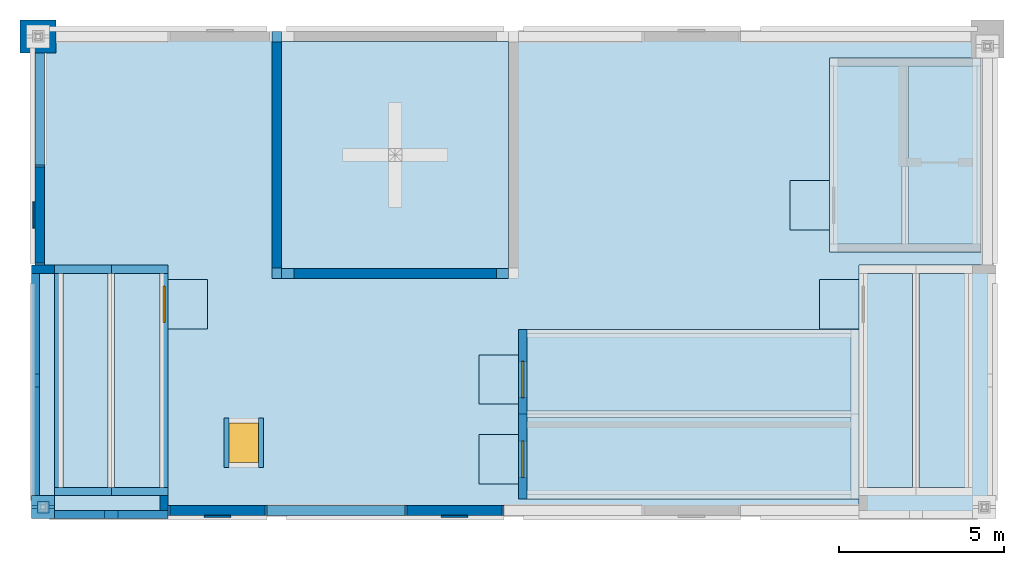
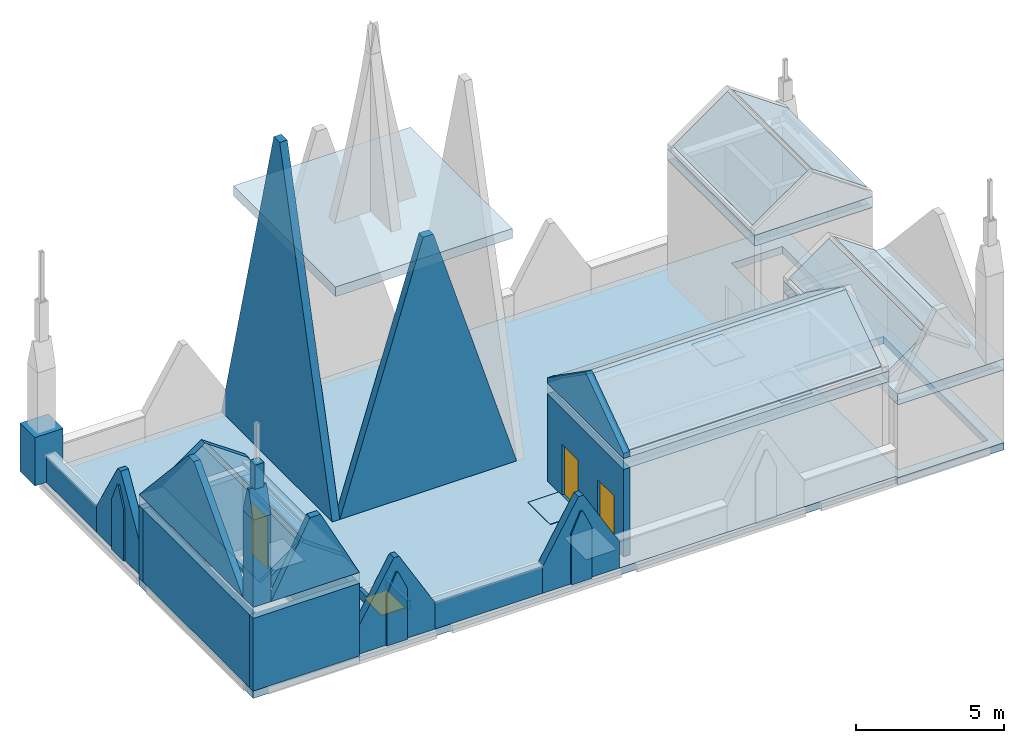
# One storey, part 3 of 10: 28 walls, 19 slabs, 3 doors, 1 window, 4 openings.
"""IFC4 building model written with IfcOpenShell, lengths in metres."""

from ifc_helpers import new_model, si_unit, direction, frame, frame_2d, origin, origin_2d, place, context, subcontext, project, spatial, polyline, rectangle, outline, extrude, material, layer, layer_set, type_object, element, fill, save


model = new_model("IFC4")

# Units and contexts
model_context = context("Model", 3, precision=1e-05, world=origin(), true_north=direction((0.0, 1.0)))
body_context = subcontext(model_context, "Body", "Model", "MODEL_VIEW")
ifc_project = project(units=[si_unit("LENGTHUNIT", "METRE"), si_unit("AREAUNIT", "SQUARE_METRE"), si_unit("VOLUMEUNIT", "CUBIC_METRE"), si_unit("PLANEANGLEUNIT", "RADIAN"), si_unit("MASSUNIT", "GRAM", prefix="KILO")], contexts=[model_context])

# Site, building, storey
site_placement = place(None, origin())
site = spatial("IfcSite", under=ifc_project, at=site_placement, CompositionType="ELEMENT")
building_placement = place(site_placement, origin())
building = spatial("IfcBuilding", under=site, at=building_placement, Name="Silangan Lancet Faculty of Sciences", CompositionType="ELEMENT")
storey_placement = place(building_placement, frame((0.0, 0.0, 81.300048828125)))
storey = spatial("IfcBuildingStorey", under=building, at=storey_placement, Name="ROOF", CompositionType="ELEMENT", Elevation=81.300048828125)

# Slabs
ifc_material_1 = material(Name="Concrete C35/45 precast", Category="concrete")
ifc_layer_1 = layer(ifc_material_1, 0.39990234375)
ifc_layer_set_1 = layer_set([ifc_layer_1], Name="Concrete C35/45 precast")
slab_type_1 = type_object("IfcSlabType", Name="Crossing cap slab 400", PredefinedType="FLOOR", material=ifc_layer_set_1)
slab_1_placement = place(storey_placement, frame((0.0, 0.0, 9.0)))
element("IfcSlab", 1, at=slab_1_placement, inside=storey, type_object=slab_type_1, Name="Crossing cap slab ST", PredefinedType="FLOOR", context=body_context, shape_type="SweptSolid", body=[
    extrude(outline(polyline([(7.35009765625, 7.35009765625), (14.25, 7.35009765625), (14.25, 14.25), (7.35009765625, 14.25), (7.35009765625, 7.35009765625)])), origin(), (0.0, 0.0, 1.0), 0.39990234375),
])
ifc_material_2 = material(Name="Concrete C35/45", Category="concrete")
ifc_layer_2 = layer(ifc_material_2, 0.449951171875)
ifc_layer_set_2 = layer_set([ifc_layer_2], Name="Concrete C35/45")
slab_type_2 = type_object("IfcSlabType", Name="Head-house lid slab 450", PredefinedType="FLOOR", material=ifc_layer_set_2)
slab_2_placement = place(storey_placement, frame((0.0, 0.0, 3.0)))
element("IfcSlab", 2, at=slab_2_placement, inside=storey, type_object=slab_type_2, Name="Head-house ST-A lid slab", PredefinedType="FLOOR", context=body_context, shape_type="SweptSolid", body=[
    extrude(outline(polyline([(-0.25, -0.25), (3.89990234375, -0.25), (3.89990234375, 7.449951171875), (-0.25, 7.449951171875), (-0.25, -0.25)])), origin(), (0.0, 0.0, 1.0), 0.449951171875),
])
slab_3_placement = place(storey_placement, frame((0.0, 0.0, 3.0)))
element("IfcSlab", 3, at=slab_3_placement, inside=storey, type_object=slab_type_2, Name="Head-house ST-B lid slab", PredefinedType="FLOOR", context=body_context, shape_type="SweptSolid", body=[
    extrude(outline(polyline([(24.89990234375, -0.25), (29.050048828125, -0.25), (29.050048828125, 7.449951171875), (24.89990234375, 7.449951171875), (24.89990234375, -0.25)])), origin(), (0.0, 0.0, 1.0), 0.449951171875),
])
slab_4_placement = place(storey_placement, frame((0.0, 0.0, 4.949951171875)))
element("IfcSlab", 4, at=slab_4_placement, inside=storey, type_object=slab_type_2, Name="Lift pavilion ST lid slab", PredefinedType="FLOOR", context=body_context, shape_type="SweptSolid", body=[
    extrude(outline(polyline([(24.0, 7.85009765625), (28.60009765625, 7.85009765625), (28.60009765625, 13.75), (24.0, 13.75), (24.0, 7.85009765625)])), origin(), (0.0, 0.0, 1.0), 0.449951171875),
])
slab_5_placement = place(storey_placement, frame((0.0, 0.0, 3.599853515625)))
element("IfcSlab", 5, at=slab_5_placement, inside=storey, type_object=slab_type_2, Name="Plant pavilion ST lid slab", PredefinedType="FLOOR", context=body_context, shape_type="SweptSolid", body=[
    extrude(outline(polyline([(14.550048828125, 0.35009765625), (24.89990234375, 0.35009765625), (24.89990234375, 5.5), (14.550048828125, 5.5), (14.550048828125, 0.35009765625)])), origin(), (0.0, 0.0, 1.0), 0.4501953125),
])
ifc_material_3 = material(Name="Concrete C35/45 precast", Category="concrete")
ifc_layer_3 = layer(ifc_material_3, 0.1201171875)
ifc_layer_set_3 = layer_set([ifc_layer_3], Name="Concrete C35/45 precast")
slab_type_3 = type_object("IfcSlabType", Name="Head-house roof panel 120", PredefinedType="ROOF", material=ifc_layer_set_3)
slab_6_placement = place(storey_placement, frame((0.506103515625, 0.699951171875, 3.6982421875), z_axis=(-0.573487992101, 0.0, 0.819213966504), x_axis=(0.0, 1.0, 0.0)))
element("IfcSlab", 6, at=slab_6_placement, inside=storey, type_object=slab_type_3, Name="Head-house ST-A roof panel W", PredefinedType="ROOF", context=body_context, shape_type="SweptSolid", body=[
    extrude(outline(polyline([(0.0, 0.0), (6.5, 0.0), (6.5, -1.9165546774972793), (0.0, -1.9165546774972793), (0.0, 0.0)])), origin(), (0.0, 0.0, -1.0), 0.1201171875),
])
slab_7_placement = place(storey_placement, frame((3.84375, 0.699951171875, 3.6982421875), z_axis=(0.573487992101, 0.0, 0.819213966504), x_axis=(0.0, 1.0, 0.0)))
element("IfcSlab", 7, at=slab_7_placement, inside=storey, type_object=slab_type_3, Name="Head-house ST-A roof panel E", PredefinedType="ROOF", context=body_context, shape_type="SweptSolid", body=[
    extrude(outline(polyline([(0.0, 0.0), (6.5, 0.0), (6.5, 1.9165546774972793), (0.0, 1.9165546774972793), (0.0, 0.0)])), origin(), (0.0, 0.0, -1.0), 0.1201171875),
])
slab_8_placement = place(storey_placement, frame((24.956298828125, 0.699951171875, 3.6982421875), z_axis=(-0.573547843559, 0.0, 0.819172064434), x_axis=(0.0, 1.0, 0.0)))
element("IfcSlab", 8, at=slab_8_placement, inside=storey, type_object=slab_type_3, Name="Head-house ST-B roof panel W", PredefinedType="ROOF", context=body_context, shape_type="SweptSolid", body=[
    extrude(outline(polyline([(0.0, 0.0), (6.5, 0.0), (6.5, -1.9163546792022204), (0.0, -1.9163546792022204), (0.0, 0.0)])), origin(), (0.0, 0.0, -1.0), 0.1201171875),
])
slab_9_placement = place(storey_placement, frame((28.293701171875, 0.699951171875, 3.6982421875), z_axis=(0.573547843559, 0.0, 0.819172064434), x_axis=(0.0, 1.0, 0.0)))
element("IfcSlab", 9, at=slab_9_placement, inside=storey, type_object=slab_type_3, Name="Head-house ST-B roof panel E", PredefinedType="ROOF", context=body_context, shape_type="SweptSolid", body=[
    extrude(outline(polyline([(0.0, 0.0), (6.5, 0.0), (6.5, 1.9163546792022204), (0.0, 1.9163546792022204), (0.0, 0.0)])), origin(), (0.0, 0.0, -1.0), 0.1201171875),
])
slab_10_placement = place(storey_placement, frame((24.05615234375, 8.10009765625, 5.648193359375), z_axis=(-0.57344982834, 0.0, 0.819240681593), x_axis=(0.0, 1.0, 0.0)))
element("IfcSlab", 10, at=slab_10_placement, inside=storey, type_object=slab_type_3, Name="Head-house ST-P roof panel W", PredefinedType="ROOF", context=body_context, shape_type="SweptSolid", body=[
    extrude(outline(polyline([(0.0, 0.0), (5.39990234375, 0.0), (5.39990234375, -2.618302019718348), (0.0, -2.618302019718348), (0.0, 0.0)])), origin(), (0.0, 0.0, -1.0), 0.1201171875),
])
slab_11_placement = place(storey_placement, frame((28.543701171875, 8.10009765625, 5.648193359375), z_axis=(0.57344982834, 0.0, 0.819240681593), x_axis=(0.0, 1.0, 0.0)))
element("IfcSlab", 11, at=slab_11_placement, inside=storey, type_object=slab_type_3, Name="Head-house ST-P roof panel E", PredefinedType="ROOF", context=body_context, shape_type="SweptSolid", body=[
    extrude(outline(polyline([(0.0, 0.0), (5.39990234375, 0.0), (5.39990234375, 2.618302019718348), (0.0, 2.618302019718348), (0.0, 0.0)])), origin(), (0.0, 0.0, -1.0), 0.1201171875),
])
slab_12_placement = place(storey_placement, frame((14.800048828125, 0.40625, 4.29833984375), z_axis=(0.0, -0.573440155674, 0.819247452154), x_axis=(1.0, 0.0, 0.0)))
element("IfcSlab", 12, at=slab_12_placement, inside=storey, type_object=slab_type_3, Name="Head-house ST-PL roof panel S", PredefinedType="ROOF", context=body_context, shape_type="SweptSolid", body=[
    extrude(outline(polyline([(0.0, 0.0), (9.849853515625, 0.0), (9.849853515625, 2.9538350941931633), (0.0, 2.9538350941931633), (0.0, 0.0)])), origin(), (0.0, 0.0, -1.0), 0.1201171875),
])
slab_13_placement = place(storey_placement, frame((14.800048828125, 5.44384765625, 4.29833984375), z_axis=(0.0, 0.573401328588, 0.819274628177), x_axis=(1.0, 0.0, 0.0)))
element("IfcSlab", 13, at=slab_13_placement, inside=storey, type_object=slab_type_3, Name="Head-house ST-PL roof panel N", PredefinedType="ROOF", context=body_context, shape_type="SweptSolid", body=[
    extrude(outline(polyline([(0.0, 0.0), (9.849853515625, 0.0), (9.849853515625, -2.95403510909566), (0.0, -2.95403510909566), (0.0, 0.0)])), origin(), (0.0, 0.0, -1.0), 0.1201171875),
])
ifc_material_4 = material(Name="Concrete C35/45 precast", Category="concrete")
ifc_layer_4 = layer(ifc_material_4, 0.02001953125)
ifc_layer_set_4 = layer_set([ifc_layer_4], Name="Concrete C35/45 precast")
slab_type_4 = type_object("IfcSlabType", Name="Roof door landing paver", PredefinedType="LANDING", material=ifc_layer_set_4)
slab_14_placement = place(storey_placement, origin())
element("IfcSlab", 14, at=slab_14_placement, inside=storey, type_object=slab_type_4, Name="Roof door landing ST-A", PredefinedType="LANDING", context=body_context, shape_type="SweptSolid", body=[
    extrude(outline(polyline([(3.89990234375, 5.512451171875), (5.10009765625, 5.512451171875), (5.10009765625, 7.012451171875), (3.89990234375, 7.012451171875), (3.89990234375, 5.512451171875)])), origin(), (0.0, 0.0, 1.0), 0.02001953125),
])
slab_15_placement = place(storey_placement, origin())
element("IfcSlab", 15, at=slab_15_placement, inside=storey, type_object=slab_type_4, Name="Roof door landing ST-B", PredefinedType="LANDING", context=body_context, shape_type="SweptSolid", body=[
    extrude(outline(polyline([(23.699951171875, 5.512451171875), (24.89990234375, 5.512451171875), (24.89990234375, 7.012451171875), (23.699951171875, 7.012451171875), (23.699951171875, 5.512451171875)])), origin(), (0.0, 0.0, 1.0), 0.02001953125),
])
slab_16_placement = place(storey_placement, origin())
element("IfcSlab", 16, at=slab_16_placement, inside=storey, type_object=slab_type_4, Name="Roof door landing ST-P", PredefinedType="LANDING", context=body_context, shape_type="SweptSolid", body=[
    extrude(outline(polyline([(22.800048828125, 8.52490234375), (24.0, 8.52490234375), (24.0, 10.02490234375), (22.800048828125, 10.02490234375), (22.800048828125, 8.52490234375)])), origin(), (0.0, 0.0, 1.0), 0.02001953125),
])
slab_17_placement = place(storey_placement, origin())
element("IfcSlab", 17, at=slab_17_placement, inside=storey, type_object=slab_type_4, Name="Plant room door landing ST 1", PredefinedType="LANDING", context=body_context, shape_type="SweptSolid", body=[
    extrude(outline(polyline([(13.35009765625, 0.800048828125), (14.550048828125, 0.800048828125), (14.550048828125, 2.300048828125), (13.35009765625, 2.300048828125), (13.35009765625, 0.800048828125)])), origin(), (0.0, 0.0, 1.0), 0.02001953125),
])
slab_18_placement = place(storey_placement, origin())
element("IfcSlab", 18, at=slab_18_placement, inside=storey, type_object=slab_type_4, Name="Plant room door landing ST 2", PredefinedType="LANDING", context=body_context, shape_type="SweptSolid", body=[
    extrude(outline(polyline([(13.35009765625, 3.22509765625), (14.550048828125, 3.22509765625), (14.550048828125, 4.72509765625), (13.35009765625, 4.72509765625), (13.35009765625, 3.22509765625)])), origin(), (0.0, 0.0, 1.0), 0.02001953125),
])

# Slab, opening, window
ifc_material_5 = material(Name="Concrete C35/45", Category="concrete")
ifc_layer_5 = layer(ifc_material_5, 0.300048828125)
ifc_layer_set_5 = layer_set([ifc_layer_5], Name="Concrete C35/45")
slab_type_5 = type_object("IfcSlabType", Name="SLAB ROOF 300", PredefinedType="ROOF", material=ifc_layer_set_5)
slab_19_placement = place(storey_placement, frame((0.0, 0.0, -0.300048828125)))
slab_19 = element("IfcSlab", 19, at=slab_19_placement, inside=storey, type_object=slab_type_5, Name="RSLAB-L16-ST", PredefinedType="ROOF", context=body_context, shape_type="SweptSolid", body=[
    extrude(outline(polyline([(-0.25, -0.25), (3.89990234375, -0.25), (3.89990234375, -0.14990234375), (24.89990234375, -0.14990234375), (24.89990234375, -0.25), (29.050048828125, -0.25), (29.050048828125, 7.449951171875), (28.949951171875, 7.449951171875), (28.949951171875, 14.550048828125), (-0.14990234375, 14.550048828125), (-0.14990234375, 7.449951171875), (-0.25, 7.449951171875), (-0.25, -0.25)]), holes=[polyline([(3.64990234375, 0.14990234375), (0.14990234375, 0.14990234375), (0.14990234375, 7.199951171875), (3.64990234375, 7.199951171875), (3.64990234375, 0.14990234375)]), polyline([(28.64990234375, 0.14990234375), (25.14990234375, 0.14990234375), (25.14990234375, 7.199951171875), (28.64990234375, 7.199951171875), (28.64990234375, 0.14990234375)]), polyline([(26.35009765625, 13.5), (28.35009765625, 13.5), (28.35009765625, 10.699951171875), (26.35009765625, 10.699951171875), (26.35009765625, 13.5)])]), origin(), (0.0, 0.0, 1.0), 0.300048828125),
])
opening_1_placement = place(slab_19_placement, frame((6.199951171875, 2.050048828125, 0.0)))
opening_1 = element("IfcOpeningElement", 20, at=opening_1_placement, cuts=slab_19, Name="Opening RH-ST", PredefinedType="OPENING", context=body_context, shape_type="SweptSolid", body=[
    extrude(rectangle(XDim=0.89990234375, YDim=1.199951171875, at=origin_2d()), origin(), (0.0, 0.0, 1.0), 0.300048828125),
])
ifc_material_6 = material(Name="Aluminium insulated hatch", Category="aluminium")
window_type = type_object("IfcWindowType", Name="Roof access hatch 900x1200", PartitioningType="SINGLE_PANEL", PredefinedType="SKYLIGHT", material=ifc_material_6)
window_placement = place(opening_1_placement, frame((0.0, 0.0, 0.25)))
window = element("IfcWindow", 21, at=window_placement, inside=storey, type_object=window_type, Name="Roof access hatch ST", OverallHeight=1.199951171875, OverallWidth=0.89990234375, PartitioningType="SINGLE_PANEL", PredefinedType="SKYLIGHT", context=body_context, shape_type="SweptSolid", body=[
    extrude(rectangle(XDim=0.89990234375, YDim=1.199951171875, at=origin_2d()), origin(), (0.0, 0.0, 1.0), 0.050048828125),
])
fill(opening_1, window)

# Walls
ifc_material_7 = material(Name="Concrete C35/45", Category="concrete")
ifc_layer_6 = layer(ifc_material_7, 0.300048828125)
ifc_layer_set_6 = layer_set([ifc_layer_6], Name="Concrete C35/45")
wall_type_1 = type_object("IfcWallType", Name="Crossing gable wall 300 north-south", PredefinedType="STANDARD", material=ifc_layer_set_6)
wall_1_placement = place(storey_placement, frame((7.35009765625, 7.199951171875, 0.0), z_axis=(0.0, 0.0, 1.0), x_axis=(1.0, 0.0, 0.0)))
element("IfcWall", 22, at=wall_1_placement, inside=storey, type_object=wall_type_1, Name="Crossing gable ST south", PredefinedType="STANDARD", context=body_context, shape_type="SweptSolid", body=[
    extrude(outline(polyline([(0.0, 0.0), (6.89990234375, 0.0), (3.64990234375, 10.5), (3.25, 10.5), (0.0, 0.0)])), frame((0.0, 0.14990234375, 0.0), z_axis=(0.0, -1.0, 0.0), x_axis=(1.0, 0.0, 0.0)), (0.0, 0.0, 1.0), 0.300048828125),
])
ifc_material_8 = material(Name="Concrete C35/45", Category="concrete")
ifc_layer_7 = layer(ifc_material_8, 0.300048828125)
ifc_layer_set_7 = layer_set([ifc_layer_7], Name="Concrete C35/45")
wall_type_2 = type_object("IfcWallType", Name="Crossing gable wall 300 west-east", PredefinedType="STANDARD", material=ifc_layer_set_7)
wall_2_placement = place(storey_placement, frame((7.199951171875, 7.050048828125, 0.0), z_axis=(0.0, 0.0, 1.0), x_axis=(0.0, 1.0, 0.0)))
element("IfcWall", 23, at=wall_2_placement, inside=storey, type_object=wall_type_2, Name="Crossing gable ST west", PredefinedType="STANDARD", context=body_context, shape_type="SweptSolid", body=[
    extrude(outline(polyline([(0.0, 0.0), (7.5, 0.0), (3.949951171875, 13.5), (3.550048828125, 13.5), (0.0, 0.0)])), frame((0.0, 0.14990234375, 0.0), z_axis=(0.0, -1.0, 0.0), x_axis=(1.0, 0.0, 0.0)), (0.0, 0.0, 1.0), 0.300048828125),
])
ifc_material_9 = material(Name="Concrete C35/45", Category="concrete")
ifc_layer_8 = layer(ifc_material_9, 0.14990234375)
ifc_layer_set_8 = layer_set([ifc_layer_8], Name="Concrete C35/45")
wall_type_3 = type_object("IfcWallType", Name="Hatch upstand 150", PredefinedType="STANDARD", material=ifc_layer_set_8)
for number, where, z_axis, x_axis, name in (
    (24, (5.675048828125, 1.300048828125, 0.0), (0.0, 0.0, 1.0), (0.0, 1.0, 0.0), "Hatch upstand wall ST W"),
    (25, (6.72509765625, 1.300048828125, 0.0), (0.0, 0.0, 1.0), (0.0, 1.0, 0.0), "Hatch upstand wall ST E"),
):
    element("IfcWall", number, at=place(storey_placement, frame(where, z_axis=z_axis, x_axis=x_axis)), inside=storey, type_object=wall_type_3, Name=name, PredefinedType="STANDARD", context=body_context, shape_type="SweptSolid", body=[
        extrude(rectangle(XDim=1.5, YDim=0.14990234375, at=frame_2d((0.75, 0.0))), origin(), (0.0, 0.0, 1.0), 0.349853515625),
    ])
ifc_material_10 = material(Name="Concrete C35/45", Category="concrete")
ifc_layer_9 = layer(ifc_material_10, 0.25)
ifc_layer_set_9 = layer_set([ifc_layer_9], Name="Concrete C35/45")
wall_type_4 = type_object("IfcWallType", Name="Head-house eave sill 250", PredefinedType="STANDARD", material=ifc_layer_set_9)
for number, where, z_axis, x_axis, name in (
    (26, (0.574951171875, 0.699951171875, 3.449951171875), (0.0, 0.0, 1.0), (0.0, 1.0, 0.0), "Head-house ST-A eave sill W"),
    (27, (3.77490234375, 0.699951171875, 3.449951171875), (0.0, 0.0, 1.0), (0.0, 1.0, 0.0), "Head-house ST-A eave sill E"),
):
    element("IfcWall", number, at=place(storey_placement, frame(where, z_axis=z_axis, x_axis=x_axis)), inside=storey, type_object=wall_type_4, Name=name, PredefinedType="STANDARD", context=body_context, shape_type="SweptSolid", body=[
        extrude(rectangle(XDim=6.5, YDim=0.25, at=frame_2d((3.25, 0.0))), origin(), (0.0, 0.0, 1.0), 0.14990234375),
    ])
ifc_material_11 = material(Name="Concrete C35/45", Category="concrete")
ifc_layer_10 = layer(ifc_material_11, 0.25)
ifc_layer_set_10 = layer_set([ifc_layer_10], Name="Concrete C35/45")
wall_type_5 = type_object("IfcWallType", Name="Head-house gable 250", PredefinedType="STANDARD", material=ifc_layer_set_10)
wall_3_placement = place(storey_placement, frame((-0.125, 0.449951171875, 3.449951171875), z_axis=(0.0, 0.0, 1.0), x_axis=(0.0, 1.0, 0.0)))
element("IfcWall", 28, at=wall_3_placement, inside=storey, type_object=wall_type_5, Name="Head-house ST-A gable W", PredefinedType="STANDARD", context=body_context, shape_type="SweptSolid", body=[
    extrude(outline(polyline([(0.0, 0.0), (7.0, 0.0), (3.699951171875, 3.60009765625), (3.300048828125, 3.60009765625), (0.0, 0.0)])), frame((0.0, 0.125, 0.0), z_axis=(0.0, -1.0, 0.0), x_axis=(1.0, 0.0, 0.0)), (0.0, 0.0, 1.0), 0.25),
])
wall_4_placement = place(storey_placement, frame((0.449951171875, -0.125, 3.449951171875), z_axis=(0.0, 0.0, 1.0), x_axis=(1.0, 0.0, 0.0)))
element("IfcWall", 29, at=wall_4_placement, inside=storey, type_object=wall_type_5, Name="Head-house ST-A gable S", PredefinedType="STANDARD", context=body_context, shape_type="SweptSolid", body=[
    extrude(outline(polyline([(0.0, 0.0), (3.449951171875, 0.0), (1.925048828125, 2.9326171875), (1.52490234375, 2.9326171875), (0.0, 0.0)])), frame((0.0, 0.125, 0.0), z_axis=(0.0, -1.0, 0.0), x_axis=(1.0, 0.0, 0.0)), (0.0, 0.0, 1.0), 0.25),
])
ifc_material_12 = material(Name="Concrete C35/45", Category="concrete")
ifc_layer_11 = layer(ifc_material_12, 0.25)
ifc_layer_set_11 = layer_set([ifc_layer_11], Name="Concrete C35/45")
wall_type_6 = type_object("IfcWallType", Name="Head-house gable infill 250", PredefinedType="STANDARD", material=ifc_layer_set_11)
for number, where, z_axis, x_axis, name in (
    (30, (0.449951171875, 0.574951171875, 3.449951171875), (0.0, 0.0, 1.0), (1.0, 0.0, 0.0), "Head-house ST-A gable infill 1"),
    (31, (0.449951171875, 7.324951171875, 3.449951171875), (0.0, 0.0, 1.0), (1.0, 0.0, 0.0), "Head-house ST-A gable infill 2"),
):
    element("IfcWall", number, at=place(storey_placement, frame(where, z_axis=z_axis, x_axis=x_axis)), inside=storey, type_object=wall_type_6, Name=name, PredefinedType="STANDARD", context=body_context, shape_type="SweptSolid", body=[
        extrude(outline(polyline([(0.0, 0.0), (3.449951171875, 0.0), (3.449951171875, 0.208984375), (1.72509765625, 1.41650390625), (0.0, 0.208984375), (0.0, 0.0)])), frame((0.0, 0.125, 0.0), z_axis=(0.0, -1.0, 0.0), x_axis=(1.0, 0.0, 0.0)), (0.0, 0.0, 1.0), 0.25),
    ])
wall_5_placement = place(storey_placement, frame((14.675048828125, 0.35009765625, 4.050048828125), z_axis=(0.0, 0.0, 1.0), x_axis=(0.0, 1.0, 0.0)))
element("IfcWall", 32, at=wall_5_placement, inside=storey, type_object=wall_type_6, Name="Head-house ST-PL gable infill 1", PredefinedType="STANDARD", context=body_context, shape_type="SweptSolid", body=[
    extrude(outline(polyline([(0.0, 0.0), (5.14990234375, 0.0), (5.14990234375, 0.208984375), (2.574951171875, 2.011474609375), (0.0, 0.208984375), (0.0, 0.0)])), frame((0.0, 0.125, 0.0), z_axis=(0.0, -1.0, 0.0), x_axis=(1.0, 0.0, 0.0)), (0.0, 0.0, 1.0), 0.25),
])
ifc_material_13 = material(Name="Concrete C35/45", Category="concrete")
ifc_layer_12 = layer(ifc_material_13, 0.25)
ifc_layer_set_12 = layer_set([ifc_layer_12], Name="Concrete C35/45")
wall_type_7 = type_object("IfcWallType", Name="Head-house wall 250", PredefinedType="STANDARD", material=ifc_layer_set_12)
for number, where, z_axis, x_axis, name in (
    (33, (-0.25, -0.125, 0.0), (0.0, 0.0, 1.0), (1.0, 0.0, 0.0), "Head-house ST-A south wall"),
    (34, (-0.25, 7.324951171875, 0.0), (0.0, 0.0, 1.0), (1.0, 0.0, 0.0), "Head-house ST-A north wall"),
):
    element("IfcWall", number, at=place(storey_placement, frame(where, z_axis=z_axis, x_axis=x_axis)), inside=storey, type_object=wall_type_7, Name=name, PredefinedType="STANDARD", context=body_context, shape_type="SweptSolid", body=[
        extrude(rectangle(XDim=4.14990234375, YDim=0.25, at=frame_2d((2.074951171875, 0.0))), origin(), (0.0, 0.0, 1.0), 3.0),
    ])
wall_6_placement = place(storey_placement, frame((-0.125, 0.0, 0.0), z_axis=(0.0, 0.0, 1.0), x_axis=(0.0, 1.0, 0.0)))
element("IfcWall", 35, at=wall_6_placement, inside=storey, type_object=wall_type_7, Name="Head-house ST-A west wall", PredefinedType="STANDARD", context=body_context, shape_type="SweptSolid", body=[
    extrude(rectangle(XDim=7.199951171875, YDim=0.25, at=frame_2d((3.60009765625, 0.0))), origin(), (0.0, 0.0, 1.0), 3.0),
])

# Wall, opening, door
wall_7_placement = place(storey_placement, frame((3.77490234375, 0.0, 0.0), z_axis=(0.0, 0.0, 1.0), x_axis=(0.0, 1.0, 0.0)))
wall_7 = element("IfcWall", 36, at=wall_7_placement, inside=storey, type_object=wall_type_7, Name="Head-house ST-A east wall", PredefinedType="STANDARD", context=body_context, shape_type="SweptSolid", body=[
    extrude(rectangle(XDim=7.199951171875, YDim=0.25, at=frame_2d((3.60009765625, 0.0))), origin(), (0.0, 0.0, 1.0), 3.0),
])
opening_2_placement = place(wall_7_placement, frame((5.71240234375, 0.0, 0.02001953125)))
opening_2 = element("IfcOpeningElement", 37, at=opening_2_placement, cuts=wall_7, Name="Opening ROOF-901", PredefinedType="OPENING", context=body_context, shape_type="SweptSolid", body=[
    extrude(rectangle(XDim=1.10009765625, YDim=2.10009765625, at=frame_2d((0.550048828125, 1.050048828125))), frame((0.0, 0.135009765625, 0.0), z_axis=(0.0, -1.0, 0.0), x_axis=(1.0, 0.0, 0.0)), (0.0, 0.0, 1.0), 0.27001953125),
])
ifc_material_14 = material(Name="Steel fire door", Category="steel")
door_type = type_object("IfcDoorType", Name="DR1 Roof exit door 1100x2100", OperationType="SINGLE_SWING_LEFT", PredefinedType="DOOR", material=ifc_material_14)
door_1_placement = place(opening_2_placement, frame((1.10009765625, 0.0, 0.0), z_axis=(0.0, 0.0, 1.0), x_axis=(-1.0, 0.0, 0.0)))
door_1 = element("IfcDoor", 38, at=door_1_placement, inside=storey, type_object=door_type, Name="Roof exit door ST-A", OperationType="SINGLE_SWING_RIGHT", OverallHeight=2.10009765625, OverallWidth=1.10009765625, PredefinedType="DOOR", context=body_context, shape_type="SweptSolid", body=[
    extrude(rectangle(XDim=1.10009765625, YDim=2.10009765625, at=frame_2d((0.550048828125, 1.050048828125))), frame((0.0, 0.025146484375, 0.0), z_axis=(0.0, -1.0, 0.0), x_axis=(1.0, 0.0, 0.0)), (0.0, 0.0, 1.0), 0.050048828125),
])
fill(opening_2, door_1)

# Walls
ifc_material_15 = material(Name="Concrete C35/45", Category="concrete")
ifc_layer_13 = layer(ifc_material_15, 0.300048828125)
ifc_layer_set_13 = layer_set([ifc_layer_13], Name="Concrete C35/45")
wall_type_8 = type_object("IfcWallType", Name="Parapet gable 300", PredefinedType="PARAPET", material=ifc_layer_set_13)
wall_8_placement = place(storey_placement, frame((0.0, 7.449951171875, 0.0), z_axis=(0.0, 0.0, 1.0), x_axis=(0.0, 1.0, 0.0)))
element("IfcWall", 39, at=wall_8_placement, inside=storey, type_object=wall_type_8, Name="Parapet gable ST W3", PredefinedType="PARAPET", context=body_context, shape_type="SweptSolid", body=[
    extrude(outline(polyline([(0.0, 0.0), (3.050048828125, 0.0), (3.050048828125, 1.099853515625), (1.625, 3.5), (1.425048828125, 3.5), (0.0, 1.099853515625), (0.0, 0.0)])), frame((0.0, 0.14990234375, 0.0), z_axis=(0.0, -1.0, 0.0), x_axis=(1.0, 0.0, 0.0)), (0.0, 0.0, 1.0), 0.300048828125),
])
for number, where, z_axis, x_axis, name in (
    (40, (3.89990234375, 0.0, 0.0), (0.0, 0.0, 1.0), (1.0, 0.0, 0.0), "Parapet gable ST S2"),
    (41, (11.10009765625, 0.0, 0.0), (0.0, 0.0, 1.0), (1.0, 0.0, 0.0), "Parapet gable ST S4"),
):
    element("IfcWall", number, at=place(storey_placement, frame(where, z_axis=z_axis, x_axis=x_axis)), inside=storey, type_object=wall_type_8, Name=name, PredefinedType="PARAPET", context=body_context, shape_type="SweptSolid", body=[
        extrude(outline(polyline([(0.0, 0.0), (3.0, 0.0), (3.0, 1.099853515625), (1.60009765625, 3.5), (1.39990234375, 3.5), (0.0, 1.099853515625), (0.0, 0.0)])), frame((0.0, 0.14990234375, 0.0), z_axis=(0.0, -1.0, 0.0), x_axis=(1.0, 0.0, 0.0)), (0.0, 0.0, 1.0), 0.300048828125),
    ])
ifc_material_16 = material(Name="Concrete C35/45 precast", Category="concrete")
ifc_layer_14 = layer(ifc_material_16, 0.06005859375)
ifc_layer_set_14 = layer_set([ifc_layer_14], Name="Concrete C35/45 precast")
wall_type_9 = type_object("IfcWallType", Name="Parapet gable lancet panel 60", PredefinedType="STANDARD", material=ifc_layer_set_14)
for number, where, z_axis, x_axis, name in (
    (42, (-0.179931640625, 8.574951171875, 0.0), (0.0, 0.0, 1.0), (0.0, 1.0, 0.0), "Gable lancet panel ST W3"),
    (43, (5.0, -0.179931640625, 0.0), (0.0, 0.0, 1.0), (1.0, 0.0, 0.0), "Gable lancet panel ST S2"),
    (44, (12.199951171875, -0.179931640625, 0.0), (0.0, 0.0, 1.0), (1.0, 0.0, 0.0), "Gable lancet panel ST S4"),
):
    element("IfcWall", number, at=place(storey_placement, frame(where, z_axis=z_axis, x_axis=x_axis)), inside=storey, type_object=wall_type_9, Name=name, PredefinedType="STANDARD", context=body_context, shape_type="SweptSolid", body=[
        extrude(outline(polyline([(0.0, 0.0), (0.800048828125, 0.0), (0.800048828125, 2.099853515625), (0.43994140625, 2.89990234375), (0.360107421875, 2.89990234375), (0.0, 2.099853515625), (0.0, 0.0)])), frame((0.0, 0.030029296875, 0.0), z_axis=(0.0, -1.0, 0.0), x_axis=(1.0, 0.0, 0.0)), (0.0, 0.0, 1.0), 0.06005859375),
    ])
ifc_material_17 = material(Name="Concrete C35/45", Category="concrete")
ifc_layer_15 = layer(ifc_material_17, 1.10009765625)
ifc_layer_set_15 = layer_set([ifc_layer_15], Name="Concrete C35/45")
wall_type_10 = type_object("IfcWallType", Name="Pinnacle buttress stage 1 1100", PredefinedType="PARAPET", material=ifc_layer_set_15)
wall_9_placement = place(storey_placement, frame((-0.050048828125, 13.89990234375, 0.0), z_axis=(0.0, 0.0, 1.0), x_axis=(0.0, 1.0, 0.0)))
element("IfcWall", 45, at=wall_9_placement, inside=storey, type_object=wall_type_10, Name="Pinnacle buttress ST NW stage 1", PredefinedType="PARAPET", context=body_context, shape_type="SweptSolid", body=[
    extrude(rectangle(XDim=1.0, YDim=1.10009765625, at=frame_2d((0.5, 0.0))), origin(), (0.0, 0.0, 1.0), 2.0),
])
ifc_material_18 = material(Name="Concrete C35/45", Category="concrete")
ifc_layer_16 = layer(ifc_material_18, 0.699951171875)
ifc_layer_set_16 = layer_set([ifc_layer_16], Name="Concrete C35/45")
wall_type_11 = type_object("IfcWallType", Name="Pinnacle buttress stage 2 700 x 3600", PredefinedType="STANDARD", material=ifc_layer_set_16)
wall_10_placement = place(storey_placement, frame((0.10009765625, -0.25, 3.449951171875), z_axis=(0.0, 0.0, 1.0), x_axis=(0.0, 1.0, 0.0)))
element("IfcWall", 46, at=wall_10_placement, inside=storey, type_object=wall_type_11, Name="Pinnacle buttress ST SW stage 2", PredefinedType="STANDARD", context=body_context, shape_type="SweptSolid", body=[
    extrude(rectangle(XDim=0.699951171875, YDim=0.699951171875, at=frame_2d((0.35009765625, 0.0))), origin(), (0.0, 0.0, 1.0), 3.60009765625),
])
ifc_material_19 = material(Name="Concrete C35/45", Category="concrete")
ifc_layer_17 = layer(ifc_material_19, 0.699951171875)
ifc_layer_set_17 = layer_set([ifc_layer_17], Name="Concrete C35/45")
wall_type_12 = type_object("IfcWallType", Name="Pinnacle gabled cap 700", PredefinedType="STANDARD", material=ifc_layer_set_17)
wall_11_placement = place(storey_placement, frame((0.10009765625, -0.25, 7.050048828125), z_axis=(0.0, 0.0, 1.0), x_axis=(0.0, 1.0, 0.0)))
element("IfcWall", 47, at=wall_11_placement, inside=storey, type_object=wall_type_12, Name="Pinnacle gabled cap ST SW", PredefinedType="STANDARD", context=body_context, shape_type="SweptSolid", body=[
    extrude(outline(polyline([(0.0, 0.0), (0.699951171875, 0.0), (0.39990234375, 1.099853515625), (0.300048828125, 1.099853515625), (0.0, 0.0)])), frame((0.0, 0.35009765625, 0.0), z_axis=(0.0, -1.0, 0.0), x_axis=(1.0, 0.0, 0.0)), (0.0, 0.0, 1.0), 0.699951171875),
])
ifc_material_20 = material(Name="Concrete C35/45", Category="concrete")
ifc_layer_18 = layer(ifc_material_20, 0.35009765625)
ifc_layer_set_18 = layer_set([ifc_layer_18], Name="Concrete C35/45")
wall_type_13 = type_object("IfcWallType", Name="Pinnacle shaft 350", PredefinedType="STANDARD", material=ifc_layer_set_18)
wall_12_placement = place(storey_placement, frame((0.10009765625, -0.074951171875, 8.14990234375), z_axis=(0.0, 0.0, 1.0), x_axis=(0.0, 1.0, 0.0)))
element("IfcWall", 48, at=wall_12_placement, inside=storey, type_object=wall_type_13, Name="Pinnacle shaft ST SW", PredefinedType="STANDARD", context=body_context, shape_type="SweptSolid", body=[
    extrude(rectangle(XDim=0.349853515625, YDim=0.35009765625, at=frame_2d((0.1748046875, 0.0))), origin(), (0.0, 0.0, 1.0), 1.0),
])

# Wall, openings, doors
ifc_material_21 = material(Name="Concrete C35/45", Category="concrete")
ifc_layer_19 = layer(ifc_material_21, 0.25)
ifc_layer_set_19 = layer_set([ifc_layer_19], Name="Concrete C35/45")
wall_type_14 = type_object("IfcWallType", Name="Plant pavilion wall 250", PredefinedType="STANDARD", material=ifc_layer_set_19)
wall_13_placement = place(storey_placement, frame((14.675048828125, 0.35009765625, 0.0), z_axis=(0.0, 0.0, 1.0), x_axis=(0.0, 1.0, 0.0)))
wall_13 = element("IfcWall", 49, at=wall_13_placement, inside=storey, type_object=wall_type_14, Name="Plant pavilion ST west wall", PredefinedType="STANDARD", context=body_context, shape_type="SweptSolid", body=[
    extrude(rectangle(XDim=5.14990234375, YDim=0.25, at=frame_2d((2.574951171875, 0.0))), origin(), (0.0, 0.0, 1.0), 3.599853515625),
])
opening_3_placement = place(wall_13_placement, frame((0.64990234375, 0.0, 0.02001953125)))
opening_3 = element("IfcOpeningElement", 50, at=opening_3_placement, cuts=wall_13, Name="Opening ROOF-904", PredefinedType="OPENING", context=body_context, shape_type="SweptSolid", body=[
    extrude(rectangle(XDim=1.10009765625, YDim=2.10009765625, at=frame_2d((0.550048828125, 1.050048828125))), frame((0.0, 0.135009765625, 0.0), z_axis=(0.0, -1.0, 0.0), x_axis=(1.0, 0.0, 0.0)), (0.0, 0.0, 1.0), 0.27001953125),
])
opening_4_placement = place(wall_13_placement, frame((3.074951171875, 0.0, 0.02001953125)))
opening_4 = element("IfcOpeningElement", 51, at=opening_4_placement, cuts=wall_13, Name="Opening ROOF-905", PredefinedType="OPENING", context=body_context, shape_type="SweptSolid", body=[
    extrude(rectangle(XDim=1.10009765625, YDim=2.10009765625, at=frame_2d((0.550048828125, 1.050048828125))), frame((0.0, 0.135009765625, 0.0), z_axis=(0.0, -1.0, 0.0), x_axis=(1.0, 0.0, 0.0)), (0.0, 0.0, 1.0), 0.27001953125),
])
door_2_placement = place(opening_3_placement, origin())
door_2 = element("IfcDoor", 52, at=door_2_placement, inside=storey, type_object=door_type, Name="Plant room door Facade Maintenance Store ST", OperationType="SINGLE_SWING_LEFT", OverallHeight=2.10009765625, OverallWidth=1.10009765625, PredefinedType="DOOR", context=body_context, shape_type="SweptSolid", body=[
    extrude(rectangle(XDim=1.10009765625, YDim=2.10009765625, at=frame_2d((0.550048828125, 1.050048828125))), frame((0.0, 0.02490234375, 0.0), z_axis=(0.0, -1.0, 0.0), x_axis=(1.0, 0.0, 0.0)), (0.0, 0.0, 1.0), 0.050048828125),
])
fill(opening_3, door_2)
door_3_placement = place(opening_4_placement, origin())
door_3 = element("IfcDoor", 53, at=door_3_placement, inside=storey, type_object=door_type, Name="Plant room door Air Handling Plant Room ST", OperationType="SINGLE_SWING_RIGHT", OverallHeight=2.10009765625, OverallWidth=1.10009765625, PredefinedType="DOOR", context=body_context, shape_type="SweptSolid", body=[
    extrude(rectangle(XDim=1.10009765625, YDim=2.10009765625, at=frame_2d((0.550048828125, 1.050048828125))), frame((0.0, 0.02490234375, 0.0), z_axis=(0.0, -1.0, 0.0), x_axis=(1.0, 0.0, 0.0)), (0.0, 0.0, 1.0), 0.050048828125),
])
fill(opening_4, door_3)

# Walls
ifc_material_22 = material(Name="Concrete C35/45", Category="concrete")
ifc_layer_20 = layer(ifc_material_22, 0.300048828125)
ifc_layer_set_20 = layer_set([ifc_layer_20], Name="Concrete C35/45")
wall_type_15 = type_object("IfcWallType", Name="Roof parapet 300", PredefinedType="PARAPET", material=ifc_layer_set_20)
wall_14_placement = place(storey_placement, frame((0.0, 10.5, 0.0), z_axis=(0.0, 0.0, 1.0), x_axis=(0.0, 1.0, 0.0)))
element("IfcWall", 54, at=wall_14_placement, inside=storey, type_object=wall_type_15, Name="Roof parapet ST 1", PredefinedType="PARAPET", context=body_context, shape_type="SweptSolid", body=[
    extrude(rectangle(XDim=3.39990234375, YDim=0.300048828125, at=frame_2d((1.699951171875, 0.0))), origin(), (0.0, 0.0, 1.0), 1.099853515625),
])
wall_15_placement = place(storey_placement, frame((6.89990234375, 0.0, 0.0), z_axis=(0.0, 0.0, 1.0), x_axis=(1.0, 0.0, 0.0)))
element("IfcWall", 55, at=wall_15_placement, inside=storey, type_object=wall_type_15, Name="Roof parapet ST 6", PredefinedType="PARAPET", context=body_context, shape_type="SweptSolid", body=[
    extrude(rectangle(XDim=4.2001953125, YDim=0.300048828125, at=frame_2d((2.10009765625, 0.0))), origin(), (0.0, 0.0, 1.0), 1.099853515625),
])

save(model, "model.ifc")
